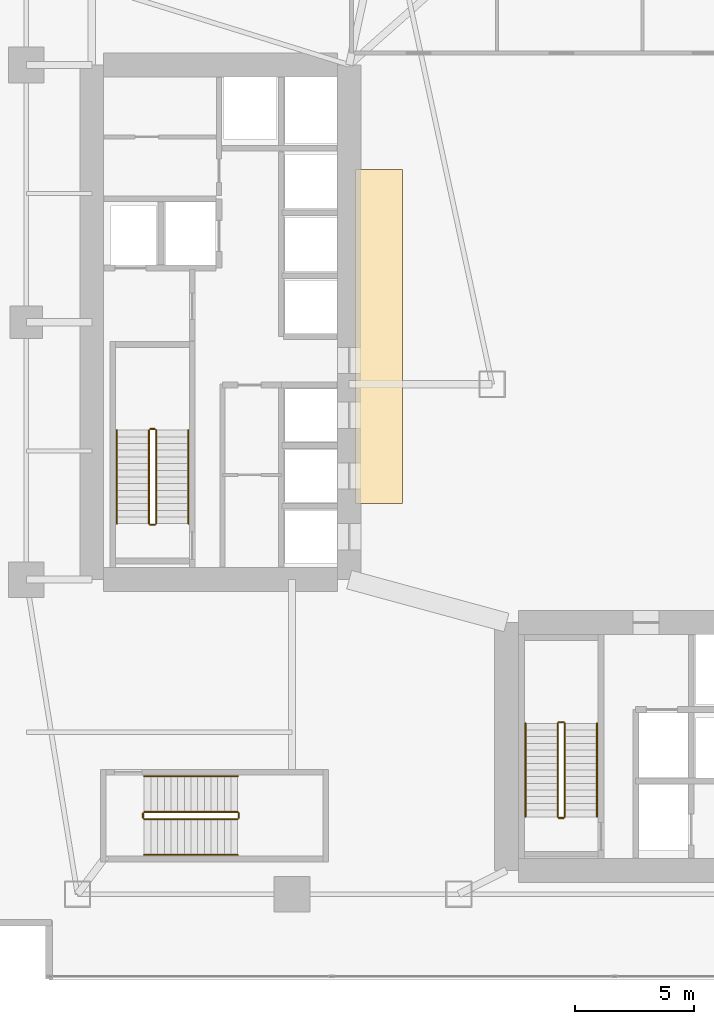
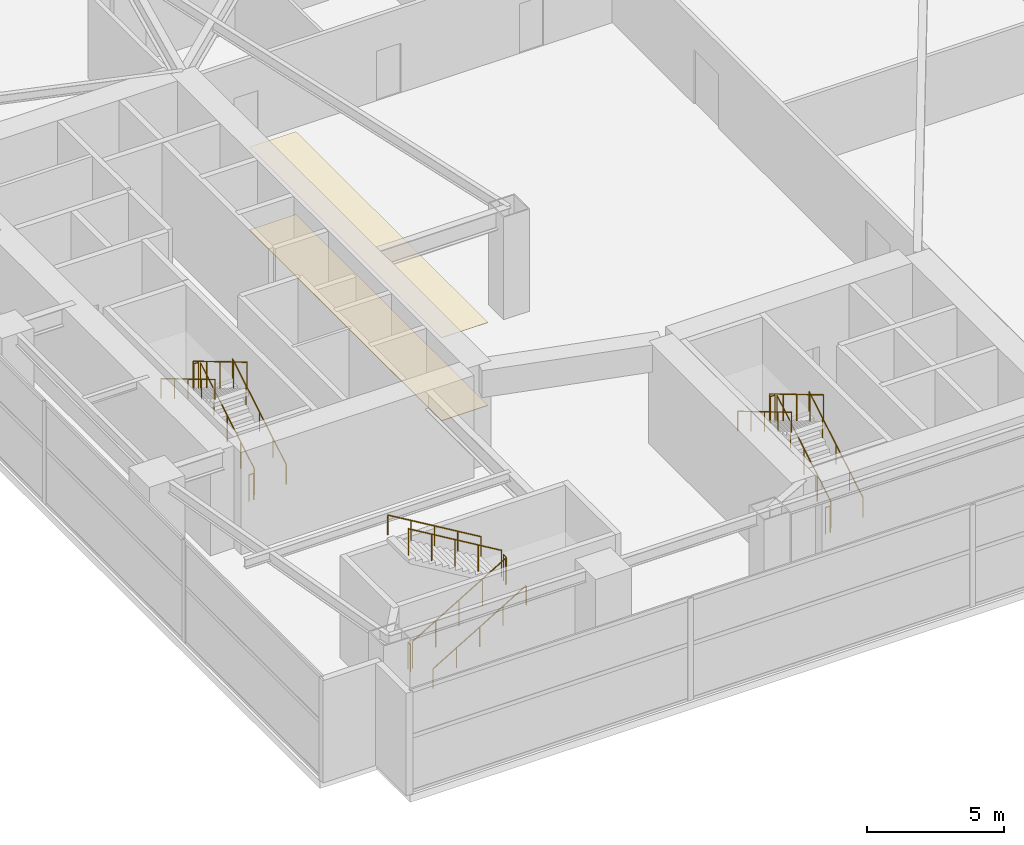
# One storey, part 28 of 30: 18 railings, 2 coverings.
"""IFC4 building model written with IfcOpenShell, lengths in metres."""

from ifc_helpers import new_model, si_unit, direction, frame, origin, origin_2d, place, context, subcontext, project, spatial, rectangle, circle, extrude, material, layer, layer_set, type_object, element, save


model = new_model("IFC4")

# Units and contexts
model_context = context("Model", 3, precision=1e-05, world=origin(), true_north=direction((0.0, 1.0)))
body_context = subcontext(model_context, "Body", "Model", "MODEL_VIEW")
ifc_project = project(units=[si_unit("LENGTHUNIT", "METRE"), si_unit("AREAUNIT", "SQUARE_METRE"), si_unit("VOLUMEUNIT", "CUBIC_METRE"), si_unit("PLANEANGLEUNIT", "RADIAN"), si_unit("MASSUNIT", "GRAM", prefix="KILO")], contexts=[model_context])

# Site, building, storey
site_placement = place(None, origin())
site = spatial("IfcSite", under=ifc_project, at=site_placement, CompositionType="ELEMENT")
building_placement = place(site_placement, origin())
building = spatial("IfcBuilding", under=site, at=building_placement, Name="Calvorn Quay Hotel", CompositionType="ELEMENT")
storey_placement = place(building_placement, frame((0.0, 0.0, 17.0)))
storey = spatial("IfcBuildingStorey", under=building, at=storey_placement, Name="L03", CompositionType="ELEMENT", Elevation=17.0)

# Coverings
ifc_material_1 = material(Name="Anodised Aluminium Acoustic Baffle", Category="aluminium")
ifc_layer_1 = layer(ifc_material_1, 0.02001953125)
ifc_layer_set_1 = layer_set([ifc_layer_1], Name="COV-CEIL-METAL")
covering_type_1 = type_object("IfcCoveringType", Name="COV-CEIL-METAL", PredefinedType="CEILING", material=ifc_layer_set_1)
covering_1_placement = place(storey_placement, frame((16.25, 27.0, 3.68994140625), z_axis=(0.0, 0.0, 1.0), x_axis=(1.0, 0.0, 0.0)))
element("IfcCovering", 1, at=covering_1_placement, inside=storey, type_object=covering_type_1, Name="Acoustic Suspended Ceiling (L03)", PredefinedType="CEILING", context=body_context, shape_type="SweptSolid", body=[
    extrude(rectangle(XDim=1.9599609375, YDim=14.0, at=origin_2d()), origin(), (0.0, 0.0, 1.0), 0.02001953125),
])
ifc_material_2 = material(Name="Honed Granite Stone Flooring", Category="masonry")
ifc_layer_2 = layer(ifc_material_2, 0.02392578125)
ifc_layer_set_2 = layer_set([ifc_layer_2], Name="COV-FLOOR-STONE")
covering_type_2 = type_object("IfcCoveringType", Name="COV-FLOOR-STONE", PredefinedType="FLOORING", material=ifc_layer_set_2)
covering_2_placement = place(storey_placement, frame((16.25, 27.0, 0.0), z_axis=(0.0, 0.0, 1.0), x_axis=(1.0, 0.0, 0.0)))
element("IfcCovering", 2, at=covering_2_placement, inside=storey, type_object=covering_type_2, Name="Interior Floor Finish (L03)", PredefinedType="FLOORING", context=body_context, shape_type="SweptSolid", body=[
    extrude(rectangle(XDim=1.9599609375, YDim=14.0, at=origin_2d()), origin(), (0.0, 0.0, 1.0), 0.02392578125),
])

# Railings
ifc_material_3 = material(Name="Brushed Stainless Steel Handrail", Category="steel")
railing_type_1 = type_object("IfcRailingType", Name="RLG-HANDRAIL-900", PredefinedType="HANDRAIL", material=ifc_material_3)
railing_1_placement = place(storey_placement, frame((8.25, 19.14990234375, 0.166748046875)))
element("IfcRailing", 3, at=railing_1_placement, inside=storey, type_object=railing_type_1, Name="L03 ST-W stair handrail 1", PredefinedType="HANDRAIL", context=body_context, shape_type="SweptSolid", body=[
    extrude(circle(Radius=0.02392578125, at=origin_2d()), frame((0.0, 0.0, 0.8759765625), z_axis=(0.0, 0.859310244771, 0.511454693235), x_axis=(-1.0, 0.0, 0.0)), (0.0, 0.0, 1.0), 4.56201171875),
    extrude(circle(Radius=0.02099609375, at=origin_2d()), origin(), (0.0, 0.0, 1.0), 0.851806640625),
    extrude(circle(Radius=0.02099609375, at=origin_2d()), frame((0.0, 0.97998046875, 0.583251953125)), (0.0, 0.0, 1.0), 0.851806640625),
    extrude(circle(Radius=0.02099609375, at=origin_2d()), frame((0.0, 1.9599609375, 1.16650390625)), (0.0, 0.0, 1.0), 0.851806640625),
    extrude(circle(Radius=0.02099609375, at=origin_2d()), frame((0.0, 2.940185546875, 1.75)), (0.0, 0.0, 1.0), 0.851806640625),
    extrude(circle(Radius=0.02099609375, at=origin_2d()), frame((0.0, 3.920166015625, 2.333251953125)), (0.0, 0.0, 1.0), 0.851806640625),
])
railing_2_placement = place(storey_placement, frame((5.25, 23.070068359375, 2.666748046875)))
element("IfcRailing", 4, at=railing_2_placement, inside=storey, type_object=railing_type_1, Name="L03 ST-W stair handrail 2", PredefinedType="HANDRAIL", context=body_context, shape_type="SweptSolid", body=[
    extrude(circle(Radius=0.02392578125, at=origin_2d()), frame((0.0, 0.0, 0.8759765625), z_axis=(0.0, -0.859310244771, 0.511454693235), x_axis=(1.0, 0.0, 0.0)), (0.0, 0.0, 1.0), 4.56201171875),
    extrude(circle(Radius=0.02099609375, at=origin_2d()), origin(), (0.0, 0.0, 1.0), 0.851806640625),
    extrude(circle(Radius=0.02099609375, at=origin_2d()), frame((0.0, -0.97998046875, 0.583251953125)), (0.0, 0.0, 1.0), 0.851806640625),
    extrude(circle(Radius=0.02099609375, at=origin_2d()), frame((0.0, -1.9599609375, 1.16650390625)), (0.0, 0.0, 1.0), 0.851806640625),
    extrude(circle(Radius=0.02099609375, at=origin_2d()), frame((0.0, -2.940185546875, 1.75)), (0.0, 0.0, 1.0), 0.851806640625),
    extrude(circle(Radius=0.02099609375, at=origin_2d()), frame((0.0, -3.920166015625, 2.333251953125)), (0.0, 0.0, 1.0), 0.851806640625),
])
railing_3_placement = place(storey_placement, frame((25.39990234375, 6.85009765625, 0.166748046875)))
element("IfcRailing", 5, at=railing_3_placement, inside=storey, type_object=railing_type_1, Name="L03 ST-E stair handrail 1", PredefinedType="HANDRAIL", context=body_context, shape_type="SweptSolid", body=[
    extrude(circle(Radius=0.02392578125, at=origin_2d()), frame((0.0, 0.0, 0.8759765625), z_axis=(0.0, 0.859296244711, 0.511478214419), x_axis=(-1.0, 0.0, 0.0)), (0.0, 0.0, 1.0), 4.561767578125),
    extrude(circle(Radius=0.02099609375, at=origin_2d()), origin(), (0.0, 0.0, 1.0), 0.851806640625),
    extrude(circle(Radius=0.02099609375, at=origin_2d()), frame((0.0, 0.97998046875, 0.583251953125)), (0.0, 0.0, 1.0), 0.851806640625),
    extrude(circle(Radius=0.02099609375, at=origin_2d()), frame((0.0, 1.9599609375, 1.16650390625)), (0.0, 0.0, 1.0), 0.851806640625),
    extrude(circle(Radius=0.02099609375, at=origin_2d()), frame((0.0, 2.93994140625, 1.75)), (0.0, 0.0, 1.0), 0.851806640625),
    extrude(circle(Radius=0.02099609375, at=origin_2d()), frame((0.0, 3.919921875, 2.333251953125)), (0.0, 0.0, 1.0), 0.851806640625),
])
railing_4_placement = place(storey_placement, frame((22.39990234375, 10.77001953125, 2.666748046875)))
element("IfcRailing", 6, at=railing_4_placement, inside=storey, type_object=railing_type_1, Name="L03 ST-E stair handrail 2", PredefinedType="HANDRAIL", context=body_context, shape_type="SweptSolid", body=[
    extrude(circle(Radius=0.02392578125, at=origin_2d()), frame((0.0, 0.0, 0.8759765625), z_axis=(0.0, -0.859296244711, 0.511478214419), x_axis=(1.0, 0.0, 0.0)), (0.0, 0.0, 1.0), 4.561767578125),
    extrude(circle(Radius=0.02099609375, at=origin_2d()), origin(), (0.0, 0.0, 1.0), 0.851806640625),
    extrude(circle(Radius=0.02099609375, at=origin_2d()), frame((0.0, -0.97998046875, 0.583251953125)), (0.0, 0.0, 1.0), 0.851806640625),
    extrude(circle(Radius=0.02099609375, at=origin_2d()), frame((0.0, -1.9599609375, 1.16650390625)), (0.0, 0.0, 1.0), 0.851806640625),
    extrude(circle(Radius=0.02099609375, at=origin_2d()), frame((0.0, -2.93994140625, 1.75)), (0.0, 0.0, 1.0), 0.851806640625),
    extrude(circle(Radius=0.02099609375, at=origin_2d()), frame((0.0, -3.919921875, 2.333251953125)), (0.0, 0.0, 1.0), 0.851806640625),
])
railing_5_placement = place(storey_placement, frame((6.39990234375, 5.25, 0.166748046875)))
element("IfcRailing", 7, at=railing_5_placement, inside=storey, type_object=railing_type_1, Name="L03 ST-P2 stair handrail 1", PredefinedType="HANDRAIL", context=body_context, shape_type="SweptSolid", body=[
    extrude(circle(Radius=0.02392578125, at=origin_2d()), frame((0.0, 0.0, 0.8759765625), z_axis=(0.859310244771, 0.0, 0.511454693235), x_axis=(0.0, 1.0, 0.0)), (0.0, 0.0, 1.0), 4.56201171875),
    extrude(circle(Radius=0.02099609375, at=origin_2d()), origin(), (0.0, 0.0, 1.0), 0.851806640625),
    extrude(circle(Radius=0.02099609375, at=origin_2d()), frame((0.97998046875, 0.0, 0.583251953125)), (0.0, 0.0, 1.0), 0.851806640625),
    extrude(circle(Radius=0.02099609375, at=origin_2d()), frame((1.9599609375, 0.0, 1.16650390625)), (0.0, 0.0, 1.0), 0.851806640625),
    extrude(circle(Radius=0.02099609375, at=origin_2d()), frame((2.940185546875, 0.0, 1.75)), (0.0, 0.0, 1.0), 0.851806640625),
    extrude(circle(Radius=0.02099609375, at=origin_2d()), frame((3.920166015625, 0.0, 2.333251953125)), (0.0, 0.0, 1.0), 0.851806640625),
])
railing_6_placement = place(storey_placement, frame((10.320068359375, 8.550048828125, 2.666748046875)))
element("IfcRailing", 8, at=railing_6_placement, inside=storey, type_object=railing_type_1, Name="L03 ST-P2 stair handrail 2", PredefinedType="HANDRAIL", context=body_context, shape_type="SweptSolid", body=[
    extrude(circle(Radius=0.02392578125, at=origin_2d()), frame((0.0, 0.0, 0.8759765625), z_axis=(-0.859310244771, 0.0, 0.511454693235), x_axis=(0.0, -1.0, 0.0)), (0.0, 0.0, 1.0), 4.56201171875),
    extrude(circle(Radius=0.02099609375, at=origin_2d()), origin(), (0.0, 0.0, 1.0), 0.851806640625),
    extrude(circle(Radius=0.02099609375, at=origin_2d()), frame((-0.97998046875, 0.0, 0.583251953125)), (0.0, 0.0, 1.0), 0.851806640625),
    extrude(circle(Radius=0.02099609375, at=origin_2d()), frame((-1.9599609375, 0.0, 1.16650390625)), (0.0, 0.0, 1.0), 0.851806640625),
    extrude(circle(Radius=0.02099609375, at=origin_2d()), frame((-2.940185546875, 0.0, 1.75)), (0.0, 0.0, 1.0), 0.851806640625),
    extrude(circle(Radius=0.02099609375, at=origin_2d()), frame((-3.920166015625, 0.0, 2.333251953125)), (0.0, 0.0, 1.0), 0.851806640625),
])
ifc_material_4 = material(Name="Painted Galvanised Steel Balustrade", Category="steel")
railing_type_2 = type_object("IfcRailingType", Name="RLG-STAIR-GUARD-1120", PredefinedType="GUARDRAIL", material=ifc_material_4)
railing_7_placement = place(storey_placement, frame((6.89990234375, 19.14990234375, 0.166748046875)))
element("IfcRailing", 9, at=railing_7_placement, inside=storey, type_object=railing_type_2, Name="L03 ST-W stair guard 1", PredefinedType="GUARDRAIL", context=body_context, shape_type="SweptSolid", body=[
    extrude(circle(Radius=0.02392578125, at=origin_2d()), frame((0.0, 0.0, 1.17578125), z_axis=(0.0, 0.859310244771, 0.511454693235), x_axis=(-1.0, 0.0, 0.0)), (0.0, 0.0, 1.0), 4.56201171875),
    extrude(circle(Radius=0.02099609375, at=origin_2d()), origin(), (0.0, 0.0, 1.0), 1.15185546875),
    extrude(circle(Radius=0.02099609375, at=origin_2d()), frame((0.0, 0.97998046875, 0.583251953125)), (0.0, 0.0, 1.0), 1.15185546875),
    extrude(circle(Radius=0.02099609375, at=origin_2d()), frame((0.0, 1.9599609375, 1.16650390625)), (0.0, 0.0, 1.0), 1.15185546875),
    extrude(circle(Radius=0.02099609375, at=origin_2d()), frame((0.0, 2.940185546875, 1.75)), (0.0, 0.0, 1.0), 1.15185546875),
    extrude(circle(Radius=0.02099609375, at=origin_2d()), frame((0.0, 3.920166015625, 2.333251953125)), (0.0, 0.0, 1.0), 1.15185546875),
])
railing_8_placement = place(storey_placement, frame((6.85009765625, 23.1201171875, 2.5)))
element("IfcRailing", 10, at=railing_8_placement, inside=storey, type_object=railing_type_2, Name="L03 ST-W stair guard 2", PredefinedType="GUARDRAIL", context=body_context, shape_type="SweptSolid", body=[
    extrude(circle(Radius=0.02392578125, at=origin_2d()), frame((0.0, 0.0, 1.17578125), z_axis=(-1.0, 0.0, 0.0), x_axis=(0.0, -1.0, 0.0)), (0.0, 0.0, 1.0), 0.2001953125),
    extrude(circle(Radius=0.02099609375, at=origin_2d()), origin(), (0.0, 0.0, 1.0), 1.15185546875),
    extrude(circle(Radius=0.02099609375, at=origin_2d()), frame((-0.2001953125, 0.0, 0.0)), (0.0, 0.0, 1.0), 1.15185546875),
])
railing_9_placement = place(storey_placement, frame((6.60009765625, 23.070068359375, 2.666748046875)))
element("IfcRailing", 11, at=railing_9_placement, inside=storey, type_object=railing_type_2, Name="L03 ST-W stair guard 3", PredefinedType="GUARDRAIL", context=body_context, shape_type="SweptSolid", body=[
    extrude(circle(Radius=0.02392578125, at=origin_2d()), frame((0.0, 0.0, 1.17578125), z_axis=(0.0, -0.859310244771, 0.511454693235), x_axis=(1.0, 0.0, 0.0)), (0.0, 0.0, 1.0), 4.56201171875),
    extrude(circle(Radius=0.02099609375, at=origin_2d()), origin(), (0.0, 0.0, 1.0), 1.15185546875),
    extrude(circle(Radius=0.02099609375, at=origin_2d()), frame((0.0, -0.97998046875, 0.583251953125)), (0.0, 0.0, 1.0), 1.15185546875),
    extrude(circle(Radius=0.02099609375, at=origin_2d()), frame((0.0, -1.9599609375, 1.16650390625)), (0.0, 0.0, 1.0), 1.15185546875),
    extrude(circle(Radius=0.02099609375, at=origin_2d()), frame((0.0, -2.940185546875, 1.75)), (0.0, 0.0, 1.0), 1.15185546875),
    extrude(circle(Radius=0.02099609375, at=origin_2d()), frame((0.0, -3.920166015625, 2.333251953125)), (0.0, 0.0, 1.0), 1.15185546875),
])
railing_10_placement = place(storey_placement, frame((6.85009765625, 19.10009765625, 0.0)))
element("IfcRailing", 12, at=railing_10_placement, inside=storey, type_object=railing_type_2, Name="L03 ST-W stair guard 4", PredefinedType="GUARDRAIL", context=body_context, shape_type="SweptSolid", body=[
    extrude(circle(Radius=0.02392578125, at=origin_2d()), frame((0.0, 0.0, 1.17578125), z_axis=(-1.0, 0.0, 0.0), x_axis=(0.0, -1.0, 0.0)), (0.0, 0.0, 1.0), 0.2001953125),
    extrude(circle(Radius=0.02099609375, at=origin_2d()), origin(), (0.0, 0.0, 1.0), 1.15185546875),
    extrude(circle(Radius=0.02099609375, at=origin_2d()), frame((-0.2001953125, 0.0, 0.0)), (0.0, 0.0, 1.0), 1.15185546875),
])
railing_11_placement = place(storey_placement, frame((24.050048828125, 6.85009765625, 0.166748046875)))
element("IfcRailing", 13, at=railing_11_placement, inside=storey, type_object=railing_type_2, Name="L03 ST-E stair guard 1", PredefinedType="GUARDRAIL", context=body_context, shape_type="SweptSolid", body=[
    extrude(circle(Radius=0.02392578125, at=origin_2d()), frame((0.0, 0.0, 1.17578125), z_axis=(0.0, 0.859296244711, 0.511478214419), x_axis=(-1.0, 0.0, 0.0)), (0.0, 0.0, 1.0), 4.561767578125),
    extrude(circle(Radius=0.02099609375, at=origin_2d()), origin(), (0.0, 0.0, 1.0), 1.15185546875),
    extrude(circle(Radius=0.02099609375, at=origin_2d()), frame((0.0, 0.97998046875, 0.583251953125)), (0.0, 0.0, 1.0), 1.15185546875),
    extrude(circle(Radius=0.02099609375, at=origin_2d()), frame((0.0, 1.9599609375, 1.16650390625)), (0.0, 0.0, 1.0), 1.15185546875),
    extrude(circle(Radius=0.02099609375, at=origin_2d()), frame((0.0, 2.93994140625, 1.75)), (0.0, 0.0, 1.0), 1.15185546875),
    extrude(circle(Radius=0.02099609375, at=origin_2d()), frame((0.0, 3.919921875, 2.333251953125)), (0.0, 0.0, 1.0), 1.15185546875),
])
railing_12_placement = place(storey_placement, frame((24.0, 10.820068359375, 2.5)))
element("IfcRailing", 14, at=railing_12_placement, inside=storey, type_object=railing_type_2, Name="L03 ST-E stair guard 2", PredefinedType="GUARDRAIL", context=body_context, shape_type="SweptSolid", body=[
    extrude(circle(Radius=0.02392578125, at=origin_2d()), frame((0.0, 0.0, 1.17578125), z_axis=(-1.0, 0.0, 0.0), x_axis=(0.0, -1.0, 0.0)), (0.0, 0.0, 1.0), 0.199951171875),
    extrude(circle(Radius=0.02099609375, at=origin_2d()), origin(), (0.0, 0.0, 1.0), 1.15185546875),
    extrude(circle(Radius=0.02099609375, at=origin_2d()), frame((-0.199951171875, 0.0, 0.0)), (0.0, 0.0, 1.0), 1.15185546875),
])
railing_13_placement = place(storey_placement, frame((23.75, 10.77001953125, 2.666748046875)))
element("IfcRailing", 15, at=railing_13_placement, inside=storey, type_object=railing_type_2, Name="L03 ST-E stair guard 3", PredefinedType="GUARDRAIL", context=body_context, shape_type="SweptSolid", body=[
    extrude(circle(Radius=0.02392578125, at=origin_2d()), frame((0.0, 0.0, 1.17578125), z_axis=(0.0, -0.859296244711, 0.511478214419), x_axis=(1.0, 0.0, 0.0)), (0.0, 0.0, 1.0), 4.561767578125),
    extrude(circle(Radius=0.02099609375, at=origin_2d()), origin(), (0.0, 0.0, 1.0), 1.15185546875),
    extrude(circle(Radius=0.02099609375, at=origin_2d()), frame((0.0, -0.97998046875, 0.583251953125)), (0.0, 0.0, 1.0), 1.15185546875),
    extrude(circle(Radius=0.02099609375, at=origin_2d()), frame((0.0, -1.9599609375, 1.16650390625)), (0.0, 0.0, 1.0), 1.15185546875),
    extrude(circle(Radius=0.02099609375, at=origin_2d()), frame((0.0, -2.93994140625, 1.75)), (0.0, 0.0, 1.0), 1.15185546875),
    extrude(circle(Radius=0.02099609375, at=origin_2d()), frame((0.0, -3.919921875, 2.333251953125)), (0.0, 0.0, 1.0), 1.15185546875),
])
railing_14_placement = place(storey_placement, frame((24.0, 6.800048828125, 0.0)))
element("IfcRailing", 16, at=railing_14_placement, inside=storey, type_object=railing_type_2, Name="L03 ST-E stair guard 4", PredefinedType="GUARDRAIL", context=body_context, shape_type="SweptSolid", body=[
    extrude(circle(Radius=0.02392578125, at=origin_2d()), frame((0.0, 0.0, 1.17578125), z_axis=(-1.0, 0.0, 0.0), x_axis=(0.0, -1.0, 0.0)), (0.0, 0.0, 1.0), 0.199951171875),
    extrude(circle(Radius=0.02099609375, at=origin_2d()), origin(), (0.0, 0.0, 1.0), 1.15185546875),
    extrude(circle(Radius=0.02099609375, at=origin_2d()), frame((-0.199951171875, 0.0, 0.0)), (0.0, 0.0, 1.0), 1.15185546875),
])
railing_15_placement = place(storey_placement, frame((6.39990234375, 6.75, 0.166748046875)))
element("IfcRailing", 17, at=railing_15_placement, inside=storey, type_object=railing_type_2, Name="L03 ST-P2 stair guard 1", PredefinedType="GUARDRAIL", context=body_context, shape_type="SweptSolid", body=[
    extrude(circle(Radius=0.02392578125, at=origin_2d()), frame((0.0, 0.0, 1.17578125), z_axis=(0.859310244771, 0.0, 0.511454693235), x_axis=(0.0, 1.0, 0.0)), (0.0, 0.0, 1.0), 4.56201171875),
    extrude(circle(Radius=0.02099609375, at=origin_2d()), origin(), (0.0, 0.0, 1.0), 1.15185546875),
    extrude(circle(Radius=0.02099609375, at=origin_2d()), frame((0.97998046875, 0.0, 0.583251953125)), (0.0, 0.0, 1.0), 1.15185546875),
    extrude(circle(Radius=0.02099609375, at=origin_2d()), frame((1.9599609375, 0.0, 1.16650390625)), (0.0, 0.0, 1.0), 1.15185546875),
    extrude(circle(Radius=0.02099609375, at=origin_2d()), frame((2.940185546875, 0.0, 1.75)), (0.0, 0.0, 1.0), 1.15185546875),
    extrude(circle(Radius=0.02099609375, at=origin_2d()), frame((3.920166015625, 0.0, 2.333251953125)), (0.0, 0.0, 1.0), 1.15185546875),
])
railing_16_placement = place(storey_placement, frame((10.3701171875, 6.800048828125, 2.5)))
element("IfcRailing", 18, at=railing_16_placement, inside=storey, type_object=railing_type_2, Name="L03 ST-P2 stair guard 2", PredefinedType="GUARDRAIL", context=body_context, shape_type="SweptSolid", body=[
    extrude(circle(Radius=0.02392578125, at=origin_2d()), frame((0.0, 0.0, 1.17578125), z_axis=(0.0, 1.0, 0.0), x_axis=(-1.0, 0.0, 0.0)), (0.0, 0.0, 1.0), 0.199951171875),
    extrude(circle(Radius=0.02099609375, at=origin_2d()), origin(), (0.0, 0.0, 1.0), 1.15185546875),
    extrude(circle(Radius=0.02099609375, at=origin_2d()), frame((0.0, 0.199951171875, 0.0)), (0.0, 0.0, 1.0), 1.15185546875),
])
railing_17_placement = place(storey_placement, frame((10.320068359375, 7.050048828125, 2.666748046875)))
element("IfcRailing", 19, at=railing_17_placement, inside=storey, type_object=railing_type_2, Name="L03 ST-P2 stair guard 3", PredefinedType="GUARDRAIL", context=body_context, shape_type="SweptSolid", body=[
    extrude(circle(Radius=0.02392578125, at=origin_2d()), frame((0.0, 0.0, 1.17578125), z_axis=(-0.859310244771, 0.0, 0.511454693235), x_axis=(0.0, -1.0, 0.0)), (0.0, 0.0, 1.0), 4.56201171875),
    extrude(circle(Radius=0.02099609375, at=origin_2d()), origin(), (0.0, 0.0, 1.0), 1.15185546875),
    extrude(circle(Radius=0.02099609375, at=origin_2d()), frame((-0.97998046875, 0.0, 0.583251953125)), (0.0, 0.0, 1.0), 1.15185546875),
    extrude(circle(Radius=0.02099609375, at=origin_2d()), frame((-1.9599609375, 0.0, 1.16650390625)), (0.0, 0.0, 1.0), 1.15185546875),
    extrude(circle(Radius=0.02099609375, at=origin_2d()), frame((-2.940185546875, 0.0, 1.75)), (0.0, 0.0, 1.0), 1.15185546875),
    extrude(circle(Radius=0.02099609375, at=origin_2d()), frame((-3.920166015625, 0.0, 2.333251953125)), (0.0, 0.0, 1.0), 1.15185546875),
])
railing_18_placement = place(storey_placement, frame((6.35009765625, 6.800048828125, 0.0)))
element("IfcRailing", 20, at=railing_18_placement, inside=storey, type_object=railing_type_2, Name="L03 ST-P2 stair guard 4", PredefinedType="GUARDRAIL", context=body_context, shape_type="SweptSolid", body=[
    extrude(circle(Radius=0.02392578125, at=origin_2d()), frame((0.0, 0.0, 1.17578125), z_axis=(0.0, 1.0, 0.0), x_axis=(-1.0, 0.0, 0.0)), (0.0, 0.0, 1.0), 0.199951171875),
    extrude(circle(Radius=0.02099609375, at=origin_2d()), origin(), (0.0, 0.0, 1.0), 1.15185546875),
    extrude(circle(Radius=0.02099609375, at=origin_2d()), frame((0.0, 0.199951171875, 0.0)), (0.0, 0.0, 1.0), 1.15185546875),
])

save(model, "model.ifc")
